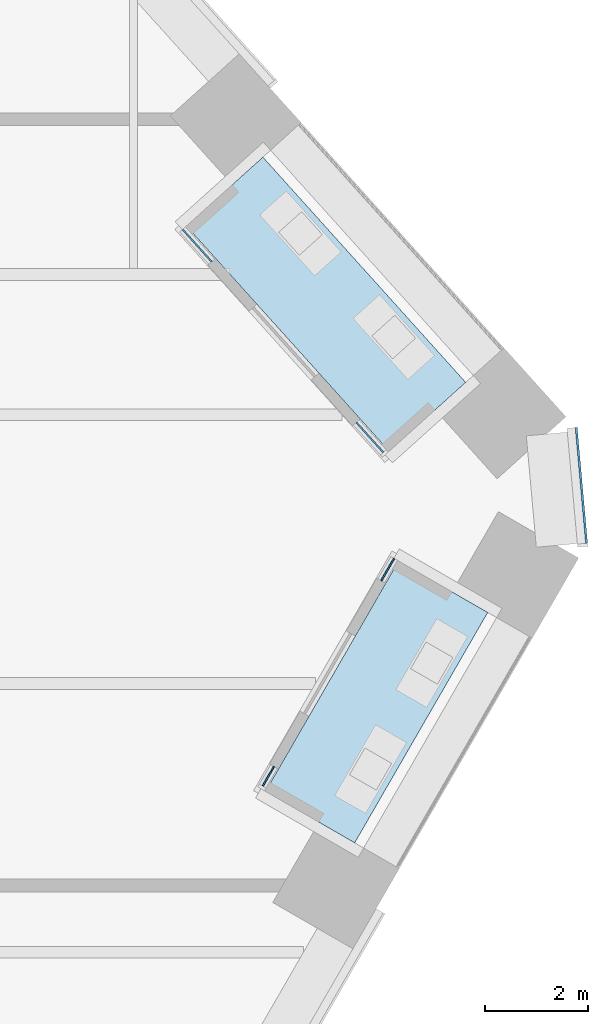
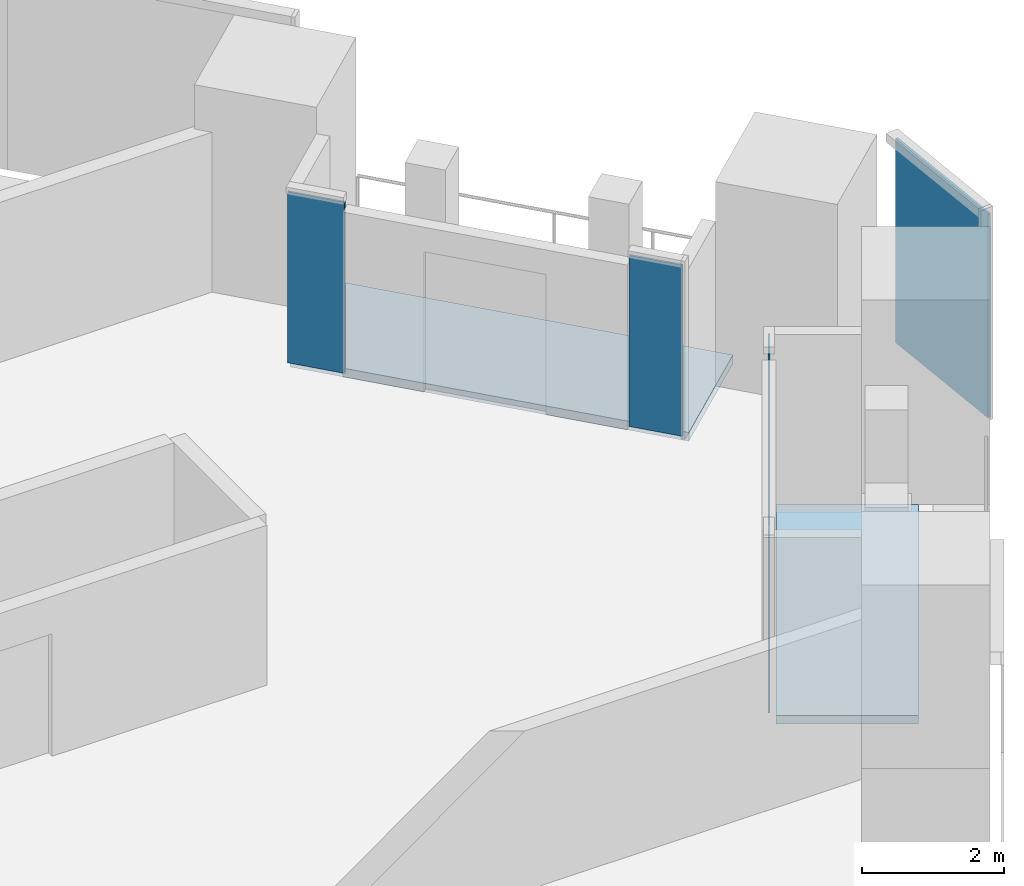
# One storey, part 21 of 31: 5 plates, 2 slabs, 3 elements without a shape of their own.
"""IFC4 building model written with IfcOpenShell, lengths in metres."""

import ifcopenshell
import ifcopenshell.guid

model = None  # the IFC model being written
_history = None  # IfcOwnerHistory: only IFC2X3 demands one
_inside = {}  # id of a spatial element -> (the spatial element, [elements in it])
_under = {}  # id of a project, library or spatial element -> (it, [spatial elements below it])
_declared = {}  # id of a project -> (the project, [libraries it declares])
_typed = {}  # id of a type object -> (the type object, [elements of that type])
_made_of = {}  # id of a material, layer set ... -> (it, [elements and type objects made of it])


def new_model(schema):
    """Start an empty IFC model of exactly this schema.

    Asked for "IFC4X3", IfcOpenShell would pick the latest addendum, in which some entities
    have other attributes; the version numbers below select the first issue.
    IFC2X3 requires an IfcOwnerHistory on every rooted entity: one is made here for all.
    """
    global model, _history
    if schema == "IFC4X3":
        model = ifcopenshell.file(schema_version=(4, 3, 0, 0))
    else:
        model = ifcopenshell.file(schema=schema)
    _inside.clear()
    _under.clear()
    _declared.clear()
    _typed.clear()
    _made_of.clear()
    _history = None
    if model.schema == "IFC2X3":
        org = make("IfcOrganization", Name="unknown")
        user = make(
            "IfcPersonAndOrganization",
            ThePerson=make("IfcPerson", FamilyName="unknown"),
            TheOrganization=org,
        )
        app = make(
            "IfcApplication",
            ApplicationDeveloper=org,
            Version="unknown",
            ApplicationFullName="unknown",
            ApplicationIdentifier="unknown",
        )
        _history = make(
            "IfcOwnerHistory",
            OwningUser=user,
            OwningApplication=app,
            ChangeAction="ADDED",
            CreationDate=0,
        )
    return model


def make(cls, **values):
    """One entity of the class cls with the attributes given. An attribute that is None is left unset."""
    return model.create_entity(
        cls, **{name: value for name, value in values.items() if value is not None}
    )


def rooted(cls, **values):
    """An entity with a GlobalId (a new one), such as an element, a storey or a relation."""
    return make(cls, GlobalId=ifcopenshell.guid.new(), OwnerHistory=_history, **values)


def si_unit(unit_type, name, prefix=None):
    """IfcSIUnit, for example si_unit("LENGTHUNIT", "METRE", prefix="MILLI")."""
    return make("IfcSIUnit", UnitType=unit_type, Prefix=prefix, Name=name)


def assignment(units):
    """IfcUnitAssignment: the units of a project."""
    return None if units is None else make("IfcUnitAssignment", Units=units)


def point(xyz):
    """IfcCartesianPoint."""
    return None if xyz is None else make("IfcCartesianPoint", Coordinates=xyz)


def direction(xyz):
    """IfcDirection."""
    return None if xyz is None else make("IfcDirection", DirectionRatios=xyz)


def frame(location, z_axis=None, x_axis=None):
    """IfcAxis2Placement3D, a coordinate frame: its origin and axes. An axis left out is left unset."""
    return make(
        "IfcAxis2Placement3D",
        Location=point(location),
        Axis=direction(z_axis),
        RefDirection=direction(x_axis),
    )


def frame_2d(location, x_axis=None):
    """IfcAxis2Placement2D, a coordinate frame in the plane: its origin and x axis."""
    return make(
        "IfcAxis2Placement2D", Location=point(location), RefDirection=direction(x_axis)
    )


def origin():
    """The frame at (0, 0, 0) with its axes left unset."""
    return frame((0.0, 0.0, 0.0))


def origin_2d():
    """The frame at (0, 0) in the plane with its x axis left unset."""
    return frame_2d((0.0, 0.0))


def place(relative_to, where):
    """IfcLocalPlacement: puts the frame where relative to a parent placement (None: the world)."""
    return make(
        "IfcLocalPlacement", PlacementRelTo=relative_to, RelativePlacement=where
    )


def context(
    kind, dimensions, precision=None, world=None, true_north=None, identifier=None
):
    """IfcGeometricRepresentationContext, for example the 3D "Model" context."""
    return make(
        "IfcGeometricRepresentationContext",
        ContextIdentifier=identifier,
        ContextType=kind,
        CoordinateSpaceDimension=dimensions,
        Precision=precision,
        WorldCoordinateSystem=world,
        TrueNorth=true_north,
    )


def subcontext(parent, identifier, kind, view, scale=None):
    """IfcGeometricRepresentationSubContext, for example "Body" below "Model"."""
    return make(
        "IfcGeometricRepresentationSubContext",
        ContextIdentifier=identifier,
        ContextType=kind,
        ParentContext=parent,
        TargetScale=scale,
        TargetView=view,
    )


def project(units=None, contexts=None):
    """IfcProject with its units and contexts."""
    return rooted(
        "IfcProject",
        Name="project",
        RepresentationContexts=contexts,
        UnitsInContext=assignment(units),
    )


def spatial(cls, under=None, at=None, **own):
    """A site, building, storey or space (cls), placed at a placement, below another one or the project."""
    s = rooted(cls, ObjectPlacement=at, **own)
    if under is not None:
        _under.setdefault(under.id(), (under, []))[1].append(s)
    return s


def polyline(points):
    """IfcPolyline through the points."""
    return make("IfcPolyline", Points=[point(p) for p in points])


def profile(cls, at=None, kind="AREA", **sizes):
    """A parametric profile (cls). Its sizes go by their IFC names, for example OverallWidth=200.0."""
    return make(cls, ProfileType=kind, Position=at, **sizes)


def rectangle(**sizes):
    """IfcRectangleProfileDef."""
    return profile("IfcRectangleProfileDef", **sizes)


def outline(outer, holes=None, kind="AREA"):
    """IfcArbitraryClosedProfileDef: a profile drawn as a closed curve; with holes, ...WithVoids."""
    if holes is None:
        return make("IfcArbitraryClosedProfileDef", ProfileType=kind, OuterCurve=outer)
    return make(
        "IfcArbitraryProfileDefWithVoids",
        ProfileType=kind,
        OuterCurve=outer,
        InnerCurves=holes,
    )


def extrude(swept, where, along, depth):
    """IfcExtrudedAreaSolid: the profile swept, set in the frame where, extruded along a direction by depth."""
    return make(
        "IfcExtrudedAreaSolid",
        SweptArea=swept,
        Position=where,
        ExtrudedDirection=direction(along),
        Depth=depth,
    )


def shape(context_of_items, identifier, shape_type, items):
    """IfcShapeRepresentation: the items that make up one representation, for example the "Body"."""
    return make(
        "IfcShapeRepresentation",
        ContextOfItems=context_of_items,
        RepresentationIdentifier=identifier,
        RepresentationType=shape_type,
        Items=items,
    )


def material(Name=None, Category=None):
    """IfcMaterial."""
    return make("IfcMaterial", Name=Name, Category=Category)


def layer(
    of_material, thickness, ventilated=None, Name=None, Category=None, Priority=None
):
    """IfcMaterialLayer: one layer of a wall or slab, of a material (None: an air gap)."""
    return make(
        "IfcMaterialLayer",
        Material=of_material,
        LayerThickness=thickness,
        IsVentilated=ventilated,
        Name=Name,
        Category=Category,
        Priority=Priority,
    )


def layer_set(layers, Name=None):
    """IfcMaterialLayerSet."""
    return make("IfcMaterialLayerSet", MaterialLayers=layers, LayerSetName=Name)


def made_of(thing, what):
    """Note that an element or type object is made of a material, layer set ...; save() writes the relation."""
    if what is not None:
        _made_of.setdefault(what.id(), (what, []))[1].append(thing)
    return thing


def type_object(cls, material=None, **own):
    """A type object (cls), such as IfcWallType, which elements share."""
    return made_of(rooted(cls, **own), material)


def element(
    cls,
    number,
    at=None,
    inside=None,
    cuts=None,
    type_object=None,
    material=None,
    context=None,
    identifier="Body",
    shape_type=None,
    held_by="IfcProductDefinitionShape",
    body=None,
    shapes=None,
    **own,
):
    """One element of the class cls, such as IfcWall. Its Tag is "e" and its number.

    at: its placement. inside: the storey or other place that contains it. cuts: it is an
    opening in that element (IfcRelVoidsElement). A single representation is given by context,
    identifier, shape_type and body (its items); several are given by shapes. held_by: the class
    of the entity that holds the representations. save() writes the other relations.
    """
    e = rooted(cls, Tag="e%d" % number, ObjectPlacement=at, **own)
    if body is not None:
        shapes = [shape(context, identifier, shape_type, body)]
    if shapes is not None:
        e.Representation = make(held_by, Representations=shapes)
    if inside is not None:
        _inside.setdefault(inside.id(), (inside, []))[1].append(e)
    if cuts is not None:
        rooted(
            "IfcRelVoidsElement", RelatingBuildingElement=cuts, RelatedOpeningElement=e
        )
    if type_object is not None:
        _typed.setdefault(type_object.id(), (type_object, []))[1].append(e)
    return made_of(e, material)


def aggregate(whole, parts):
    """IfcRelAggregates: a whole, such as a stair, and the parts it consists of."""
    return rooted("IfcRelAggregates", RelatingObject=whole, RelatedObjects=parts)


def save(model, path):
    """Write the relations noted so far, then the file.

    IfcRelAggregates (storeys below a building ...), IfcRelContainedInSpatialStructure (elements
    in a storey), IfcRelDefinesByType, IfcRelAssociatesMaterial and IfcRelDeclares: one each for
    every whole, place, type object, material and project.
    """
    for whole, parts in _under.values():
        aggregate(whole, parts)
    for where, things in _inside.values():
        rooted(
            "IfcRelContainedInSpatialStructure",
            RelatedElements=things,
            RelatingStructure=where,
        )
    for kind, things in _typed.values():
        rooted("IfcRelDefinesByType", RelatedObjects=things, RelatingType=kind)
    for what, things in _made_of.values():
        rooted("IfcRelAssociatesMaterial", RelatedObjects=things, RelatingMaterial=what)
    for by, libraries in _declared.values():
        rooted("IfcRelDeclares", RelatingContext=by, RelatedDefinitions=libraries)
    model.write(path)


model = new_model("IFC4")

# Units and contexts
model_context = context("Model", 3, precision=1e-05, world=origin(), true_north=direction((0.0, 1.0)))
body_context = subcontext(model_context, "Body", "Model", "MODEL_VIEW")
ifc_project = project(units=[si_unit("LENGTHUNIT", "METRE"), si_unit("AREAUNIT", "SQUARE_METRE"), si_unit("VOLUMEUNIT", "CUBIC_METRE"), si_unit("PLANEANGLEUNIT", "RADIAN"), si_unit("MASSUNIT", "GRAM", prefix="KILO")], contexts=[model_context])

# Site, building, storey
site_placement = place(None, origin())
site = spatial("IfcSite", under=ifc_project, at=site_placement, CompositionType="ELEMENT")
building_placement = place(site_placement, origin())
building = spatial("IfcBuilding", under=site, at=building_placement, Name="Isthmus Gate Tower", CompositionType="ELEMENT")
storey_placement = place(building_placement, frame((0.0, 0.0, 54.25)))
storey = spatial("IfcBuildingStorey", under=building, at=storey_placement, Name="L11", CompositionType="ELEMENT", Elevation=54.25)

# Curtain wall, plate
ifc_material_1 = material(Name="Aluminium, pale champagne anodised", Category="aluminium")
ifc_layer_1 = layer(ifc_material_1, 0.199951171875)
ifc_layer_set_1 = layer_set([ifc_layer_1], Name="CW-1 UNITISED CURTAIN WALL 200 DEEP")
curtain_wall_type_1 = type_object("IfcCurtainWallType", Name="CW-1 UNITISED CURTAIN WALL 200 DEEP", PredefinedType="NOTDEFINED", material=ifc_layer_set_1)
curtain_wall_1_placement = place(storey_placement, origin())
curtain_wall_1 = element("IfcCurtainWall", 1, at=curtain_wall_1_placement, inside=storey, type_object=curtain_wall_type_1, Name="CW-1 SE-NE L11", PredefinedType="NOTDEFINED")
ifc_material_2 = material(Name="Laminated low-iron glass, pale blue tint", Category="glass")
ifc_layer_2 = layer(ifc_material_2, 0.0400390625)
ifc_layer_set_2 = layer_set([ifc_layer_2], Name="CW-1 CLEAR GLASS LITE 40")
plate_type_1 = type_object("IfcPlateType", Name="CW-1 CLEAR GLASS LITE 40", PredefinedType="CURTAIN_PANEL", material=ifc_layer_set_2)
plate_1_placement = place(storey_placement, frame((38.155029296875, 3.403564453125, 0.0), z_axis=(0.0, 0.0, 1.0), x_axis=(-0.089396669717, 0.995996102123, 0.0)))
plate_1 = element("IfcPlate", 2, at=plate_1_placement, type_object=plate_type_1, Name="CW-1 glass lite", PredefinedType="CURTAIN_PANEL", context=body_context, shape_type="SweptSolid", body=[
    extrude(rectangle(XDim=2.258544921875, YDim=0.0400390625, at=origin_2d()), origin(), (0.0, 0.0, 1.0), 3.5),
])
aggregate(curtain_wall_1, [plate_1])

# Curtain wall, plates
ifc_material_3 = material(Name="Aluminium, pale champagne anodised", Category="aluminium")
ifc_layer_3 = layer(ifc_material_3, 0.14990234375)
ifc_layer_set_3 = layer_set([ifc_layer_3], Name="CW-6 LOGGIA BACK WALL GLAZING 150 DEEP")
curtain_wall_type_2 = type_object("IfcCurtainWallType", Name="CW-6 LOGGIA BACK WALL GLAZING 150 DEEP", PredefinedType="NOTDEFINED", material=ifc_layer_set_3)
curtain_wall_2_placement = place(storey_placement, origin())
curtain_wall_2 = element("IfcCurtainWall", 3, at=curtain_wall_2_placement, inside=storey, type_object=curtain_wall_type_2, Name="CW-6 SE L11", PredefinedType="NOTDEFINED")
ifc_material_4 = material(Name="Laminated low-iron glass, clear", Category="glass")
ifc_layer_4 = layer(ifc_material_4, 0.031982421875)
ifc_layer_set_4 = layer_set([ifc_layer_4], Name="CW-6 CLEAR GLASS LITE 32")
plate_type_2 = type_object("IfcPlateType", Name="CW-6 CLEAR GLASS LITE 32", PredefinedType="CURTAIN_PANEL", material=ifc_layer_set_4)
plate_2_placement = place(storey_placement, frame((32.071533203125, -2.25048828125, 0.0), z_axis=(0.0, 0.0, 1.0), x_axis=(0.5, 0.866025403784, 0.0)))
plate_2 = element("IfcPlate", 4, at=plate_2_placement, type_object=plate_type_2, Name="CW-6 glass lite", PredefinedType="CURTAIN_PANEL", context=body_context, shape_type="SweptSolid", body=[
    extrude(rectangle(XDim=0.43994140625, YDim=0.031982421875, at=origin_2d()), origin(), (0.0, 0.0, 1.0), 2.929931640625),
])
plate_3_placement = place(storey_placement, frame((34.391357421875, 1.767333984375, 0.0), z_axis=(0.0, 0.0, 1.0), x_axis=(0.5, 0.866025403784, 0.0)))
plate_3 = element("IfcPlate", 5, at=plate_3_placement, type_object=plate_type_2, Name="CW-6 glass lite", PredefinedType="CURTAIN_PANEL", context=body_context, shape_type="SweptSolid", body=[
    extrude(rectangle(XDim=0.5, YDim=0.031982421875, at=origin_2d()), origin(), (0.0, 0.0, 1.0), 2.929931640625),
])
aggregate(curtain_wall_2, [plate_2, plate_3])

curtain_wall_3_placement = place(storey_placement, origin())
curtain_wall_3 = element("IfcCurtainWall", 6, at=curtain_wall_3_placement, inside=storey, type_object=curtain_wall_type_2, Name="CW-6 NE L11", PredefinedType="NOTDEFINED")
plate_4_placement = place(storey_placement, frame((34.043701171875, 4.3359375, 0.0), z_axis=(0.0, 0.0, 1.0), x_axis=(-0.669130606359, 0.743144825477, 0.0)))
plate_4 = element("IfcPlate", 7, at=plate_4_placement, type_object=plate_type_2, Name="CW-6 glass lite", PredefinedType="CURTAIN_PANEL", context=body_context, shape_type="SweptSolid", body=[
    extrude(rectangle(XDim=0.78466796875, YDim=0.031982421875, at=origin_2d()), origin(), (0.0, 0.0, 1.0), 2.929931640625),
])
plate_5_placement = place(storey_placement, frame((30.688232421875, 8.0625, 0.0), z_axis=(0.0, 0.0, 1.0), x_axis=(-0.669130606359, 0.743144825477, 0.0)))
plate_5 = element("IfcPlate", 8, at=plate_5_placement, type_object=plate_type_2, Name="CW-6 glass lite", PredefinedType="CURTAIN_PANEL", context=body_context, shape_type="SweptSolid", body=[
    extrude(rectangle(XDim=0.8447265625, YDim=0.031982421875, at=origin_2d()), origin(), (0.0, 0.0, 1.0), 2.929931640625),
])
aggregate(curtain_wall_3, [plate_4, plate_5])

# Slabs
ifc_material_5 = material(Name="Concrete f'c 50 MPa", Category="concrete")
ifc_layer_5 = layer(ifc_material_5, 0.14990234375)
ifc_layer_set_5 = layer_set([ifc_layer_5], Name="LOGGIA FLOOR SLAB 150")
slab_type = type_object("IfcSlabType", Name="LOGGIA FLOOR SLAB 150", PredefinedType="FLOOR", material=ifc_layer_set_5)
slab_1_placement = place(storey_placement, frame((0.0, 0.0, -0.14990234375)))
element("IfcSlab", 9, at=slab_1_placement, inside=storey, type_object=slab_type, Name="LOGGIA FLOOR", PredefinedType="FLOOR", context=body_context, shape_type="SweptSolid", body=[
    extrude(outline(polyline([(33.750244140625, -3.54296875), (36.3349609375, 0.933837890625), (34.602783203125, 1.933837890625), (32.01806640625, -2.54296875), (33.750244140625, -3.54296875)])), origin(), (0.0, 0.0, 1.0), 0.14990234375),
])
slab_2_placement = place(storey_placement, frame((0.0, 0.0, -0.14990234375)))
element("IfcSlab", 10, at=slab_2_placement, inside=storey, type_object=slab_type, Name="LOGGIA FLOOR", PredefinedType="FLOOR", context=body_context, shape_type="SweptSolid", body=[
    extrude(outline(polyline([(35.906982421875, 5.40478515625), (31.96630859375, 9.781494140625), (30.47998046875, 8.443115234375), (34.4208984375, 4.066650390625), (35.906982421875, 5.40478515625)])), origin(), (0.0, 0.0, 1.0), 0.14990234375),
])

save(model, "model.ifc")
